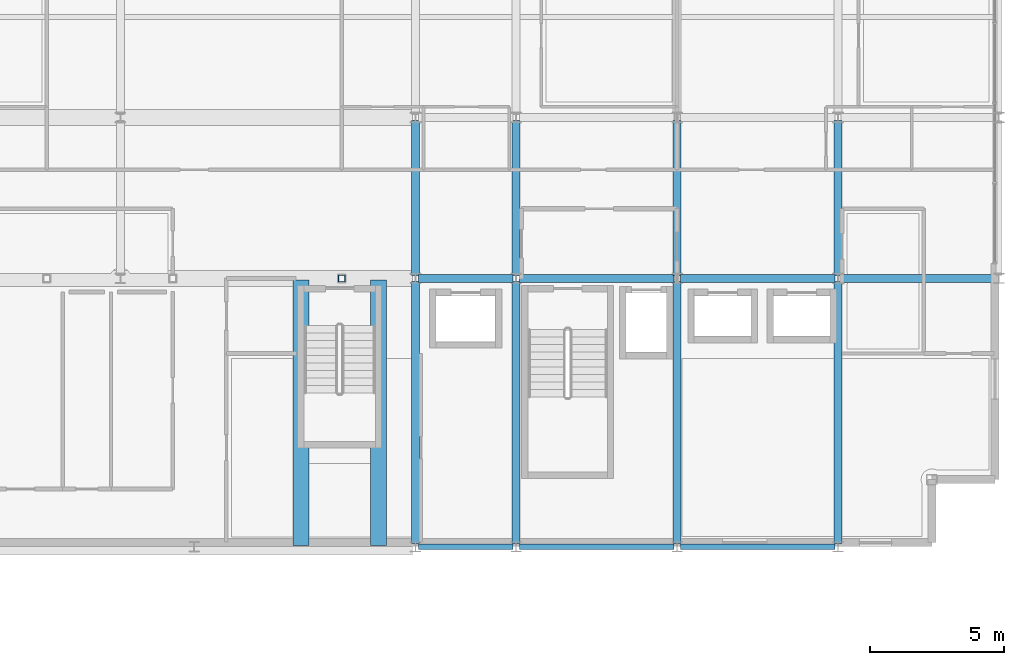
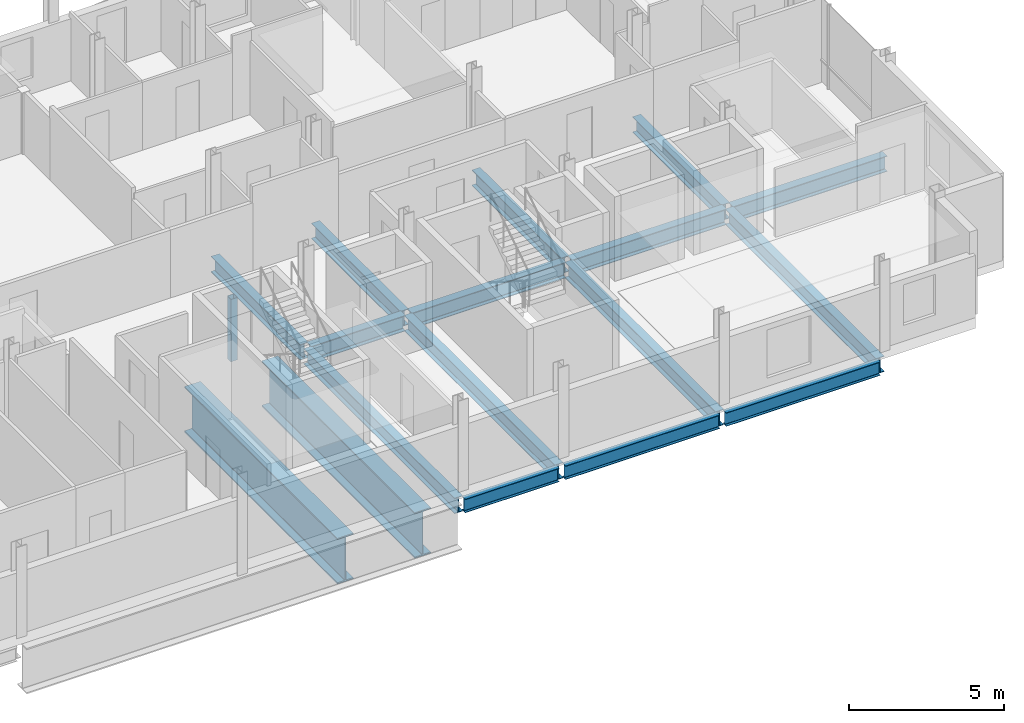
# One storey, part 13 of 35: 17 beams, 1 member.
"""IFC4 building model written with IfcOpenShell, lengths in metres."""

from ifc_helpers import new_model, si_unit, direction, frame, origin, origin_2d, place, context, subcontext, project, spatial, hollow_rectangle, i_section, extrude, material, material_profile, profile_set, type_object, element, save


model = new_model("IFC4")

# Units and contexts
model_context = context("Model", 3, precision=1e-05, world=origin(), true_north=direction((0.0, 1.0)))
body_context = subcontext(model_context, "Body", "Model", "MODEL_VIEW")
ifc_project = project(units=[si_unit("LENGTHUNIT", "METRE"), si_unit("AREAUNIT", "SQUARE_METRE"), si_unit("VOLUMEUNIT", "CUBIC_METRE"), si_unit("PLANEANGLEUNIT", "RADIAN"), si_unit("MASSUNIT", "GRAM", prefix="KILO")], contexts=[model_context])

# Site, building, storey
site_placement = place(None, origin())
site = spatial("IfcSite", under=ifc_project, at=site_placement, CompositionType="ELEMENT")
building_placement = place(site_placement, origin())
building = spatial("IfcBuilding", under=site, at=building_placement, Name="Brevholm Reach", CompositionType="ELEMENT")
storey_placement = place(building_placement, frame((0.0, 0.0, 214.39990234375)))
storey = spatial("IfcBuildingStorey", under=building, at=storey_placement, Name="L65", CompositionType="ELEMENT", Elevation=214.39990234375)

# Beams
ifc_material_1 = material(Name="Structural Steel S460ML", Category="steel")
ifc_material_profile_1 = material_profile(ifc_material_1, i_section(OverallWidth=0.60009765625, OverallDepth=1.800048828125, WebThickness=0.034912109375, FlangeThickness=0.050048828125, FilletRadius=0.02392578125, at=origin_2d()), Name="PG 1800x600x50")
ifc_profile_set_1 = profile_set([ifc_material_profile_1], Name="Structural Steel S460ML")
beam_type_1 = type_object("IfcBeamType", Name="BM-PG1800", PredefinedType="USERDEFINED", material=ifc_profile_set_1)
for number, where, z_axis, x_axis, name in (
    (1, (33.97998046875, 0.050048828125, -1.31982421875), (0.0, 1.0, 0.0), (-1.0, 0.0, 0.0), "L65 ST-3 Transfer Cross-Girder W"),
    (2, (36.8701171875, 0.050048828125, -1.31982421875), (0.0, 1.0, 0.0), (-1.0, 0.0, 0.0), "L65 ST-3 Transfer Cross-Girder E"),
):
    element("IfcBeam", number, at=place(storey_placement, frame(where, z_axis=z_axis, x_axis=x_axis)), inside=storey, type_object=beam_type_1, Name=name, ObjectType="GIRDER", PredefinedType="USERDEFINED", context=body_context, shape_type="SweptSolid", body=[
        extrude(i_section(OverallWidth=0.60009765625, OverallDepth=1.800048828125, WebThickness=0.034912109375, FlangeThickness=0.050048828125, FilletRadius=0.02392578125, at=origin_2d()), origin(), (0.0, 0.0, 1.0), 9.89990234375),
    ])
ifc_material_2 = material(Name="Structural Steel S355J2", Category="steel")
ifc_material_profile_2 = material_profile(ifc_material_2, i_section(OverallWidth=0.210693359375, OverallDepth=0.53955078125, WebThickness=0.01171875, FlangeThickness=0.018798828125, FilletRadius=0.0126953125, at=origin_2d()), Name="UKB 533x210x109")
ifc_profile_set_2 = profile_set([ifc_material_profile_2], Name="Structural Steel S355J2")
beam_type_2 = type_object("IfcBeamType", Name="BM-SP539", PredefinedType="SPANDREL", material=ifc_profile_set_2)
beam_1_placement = place(storey_placement, frame((38.3701171875, 0.0, -0.689697265625), z_axis=(1.0, 0.0, 0.0), x_axis=(0.0, 1.0, 0.0)))
element("IfcBeam", 3, at=beam_1_placement, inside=storey, type_object=beam_type_2, Name="L65 SP-01B Framing Beam", PredefinedType="SPANDREL", context=body_context, shape_type="SweptSolid", body=[
    extrude(i_section(OverallWidth=0.210693359375, OverallDepth=0.53955078125, WebThickness=0.01171875, FlangeThickness=0.018798828125, FilletRadius=0.0126953125, at=origin_2d()), origin(), (0.0, 0.0, 1.0), 3.509765625),
])
for number, where, z_axis, x_axis, name in (
    (4, (42.1201171875, 0.0, -0.689697265625), (1.0, 0.0, 0.0), (0.0, 1.0, 0.0), "L65 SP-01B Framing Beam"),
    (5, (48.1201171875, 0.0, -0.689697265625), (1.0, 0.0, 0.0), (0.0, 1.0, 0.0), "L65 SP-01B Framing Beam"),
):
    element("IfcBeam", number, at=place(storey_placement, frame(where, z_axis=z_axis, x_axis=x_axis)), inside=storey, type_object=beam_type_2, Name=name, PredefinedType="SPANDREL", context=body_context, shape_type="SweptSolid", body=[
        extrude(i_section(OverallWidth=0.210693359375, OverallDepth=0.53955078125, WebThickness=0.01171875, FlangeThickness=0.018798828125, FilletRadius=0.0126953125, at=origin_2d()), origin(), (0.0, 0.0, 1.0), 5.759765625),
    ])
ifc_material_3 = material(Name="Structural Steel S355J2", Category="steel")
ifc_material_profile_3 = material_profile(ifc_material_3, i_section(OverallWidth=0.30712890625, OverallDepth=0.6201171875, WebThickness=0.01416015625, FlangeThickness=0.023681640625, FilletRadius=0.0166015625, at=origin_2d()), Name="UKB 610x305x179")
ifc_profile_set_3 = profile_set([ifc_material_profile_3], Name="Structural Steel S355J2")
beam_type_3 = type_object("IfcBeamType", Name="BM-UKB610H", PredefinedType="USERDEFINED", material=ifc_profile_set_3)
beam_2_placement = place(storey_placement, frame((38.3701171875, 10.0, -0.72998046875), z_axis=(1.0, 0.0, 0.0), x_axis=(0.0, 1.0, 0.0)))
element("IfcBeam", 6, at=beam_2_placement, inside=storey, type_object=beam_type_3, Name="L65 G-06 Framing Beam", ObjectType="GIRDER", PredefinedType="USERDEFINED", context=body_context, shape_type="SweptSolid", body=[
    extrude(i_section(OverallWidth=0.30712890625, OverallDepth=0.6201171875, WebThickness=0.01416015625, FlangeThickness=0.023681640625, FilletRadius=0.0166015625, at=origin_2d()), origin(), (0.0, 0.0, 1.0), 3.509765625),
])
for number, where, z_axis, x_axis, name in (
    (7, (42.1201171875, 10.0, -0.72998046875), (1.0, 0.0, 0.0), (0.0, 1.0, 0.0), "L65 G-06 Framing Beam"),
    (8, (48.1201171875, 10.0, -0.72998046875), (1.0, 0.0, 0.0), (0.0, 1.0, 0.0), "L65 G-06 Framing Beam"),
    (9, (54.1201171875, 10.0, -0.72998046875), (1.0, 0.0, 0.0), (0.0, 1.0, 0.0), "L65 G-06 Framing Beam"),
):
    element("IfcBeam", number, at=place(storey_placement, frame(where, z_axis=z_axis, x_axis=x_axis)), inside=storey, type_object=beam_type_3, Name=name, ObjectType="GIRDER", PredefinedType="USERDEFINED", context=body_context, shape_type="SweptSolid", body=[
        extrude(i_section(OverallWidth=0.30712890625, OverallDepth=0.6201171875, WebThickness=0.01416015625, FlangeThickness=0.023681640625, FilletRadius=0.0166015625, at=origin_2d()), origin(), (0.0, 0.0, 1.0), 5.759765625),
    ])
beam_3_placement = place(storey_placement, frame((38.25, 0.1201171875, -0.72998046875), z_axis=(0.0, 1.0, 0.0), x_axis=(-1.0, 0.0, 0.0)))
element("IfcBeam", 10, at=beam_3_placement, inside=storey, type_object=beam_type_3, Name="L65 G-06 Framing Beam", ObjectType="GIRDER", PredefinedType="USERDEFINED", context=body_context, shape_type="SweptSolid", body=[
    extrude(i_section(OverallWidth=0.30712890625, OverallDepth=0.6201171875, WebThickness=0.01416015625, FlangeThickness=0.023681640625, FilletRadius=0.0166015625, at=origin_2d()), origin(), (0.0, 0.0, 1.0), 9.759765625),
])
beam_4_placement = place(storey_placement, frame((38.25, 10.1201171875, -0.72998046875), z_axis=(0.0, 1.0, 0.0), x_axis=(-1.0, 0.0, 0.0)))
element("IfcBeam", 11, at=beam_4_placement, inside=storey, type_object=beam_type_3, Name="L65 G-06 Framing Beam", ObjectType="GIRDER", PredefinedType="USERDEFINED", context=body_context, shape_type="SweptSolid", body=[
    extrude(i_section(OverallWidth=0.30712890625, OverallDepth=0.6201171875, WebThickness=0.01416015625, FlangeThickness=0.023681640625, FilletRadius=0.0166015625, at=origin_2d()), origin(), (0.0, 0.0, 1.0), 5.759765625),
])
beam_5_placement = place(storey_placement, frame((42.0, 0.1201171875, -0.72998046875), z_axis=(0.0, 1.0, 0.0), x_axis=(-1.0, 0.0, 0.0)))
element("IfcBeam", 12, at=beam_5_placement, inside=storey, type_object=beam_type_3, Name="L65 G-06 Framing Beam", ObjectType="GIRDER", PredefinedType="USERDEFINED", context=body_context, shape_type="SweptSolid", body=[
    extrude(i_section(OverallWidth=0.30712890625, OverallDepth=0.6201171875, WebThickness=0.01416015625, FlangeThickness=0.023681640625, FilletRadius=0.0166015625, at=origin_2d()), origin(), (0.0, 0.0, 1.0), 9.759765625),
])
beam_6_placement = place(storey_placement, frame((42.0, 10.1201171875, -0.72998046875), z_axis=(0.0, 1.0, 0.0), x_axis=(-1.0, 0.0, 0.0)))
element("IfcBeam", 13, at=beam_6_placement, inside=storey, type_object=beam_type_3, Name="L65 G-06 Framing Beam", ObjectType="GIRDER", PredefinedType="USERDEFINED", context=body_context, shape_type="SweptSolid", body=[
    extrude(i_section(OverallWidth=0.30712890625, OverallDepth=0.6201171875, WebThickness=0.01416015625, FlangeThickness=0.023681640625, FilletRadius=0.0166015625, at=origin_2d()), origin(), (0.0, 0.0, 1.0), 5.759765625),
])
beam_7_placement = place(storey_placement, frame((48.0, 0.1201171875, -0.72998046875), z_axis=(0.0, 1.0, 0.0), x_axis=(-1.0, 0.0, 0.0)))
element("IfcBeam", 14, at=beam_7_placement, inside=storey, type_object=beam_type_3, Name="L65 G-06 Framing Beam", ObjectType="GIRDER", PredefinedType="USERDEFINED", context=body_context, shape_type="SweptSolid", body=[
    extrude(i_section(OverallWidth=0.30712890625, OverallDepth=0.6201171875, WebThickness=0.01416015625, FlangeThickness=0.023681640625, FilletRadius=0.0166015625, at=origin_2d()), origin(), (0.0, 0.0, 1.0), 9.759765625),
])
beam_8_placement = place(storey_placement, frame((48.0, 10.1201171875, -0.72998046875), z_axis=(0.0, 1.0, 0.0), x_axis=(-1.0, 0.0, 0.0)))
element("IfcBeam", 15, at=beam_8_placement, inside=storey, type_object=beam_type_3, Name="L65 G-06 Framing Beam", ObjectType="GIRDER", PredefinedType="USERDEFINED", context=body_context, shape_type="SweptSolid", body=[
    extrude(i_section(OverallWidth=0.30712890625, OverallDepth=0.6201171875, WebThickness=0.01416015625, FlangeThickness=0.023681640625, FilletRadius=0.0166015625, at=origin_2d()), origin(), (0.0, 0.0, 1.0), 5.759765625),
])
beam_9_placement = place(storey_placement, frame((54.0, 0.1201171875, -0.72998046875), z_axis=(0.0, 1.0, 0.0), x_axis=(-1.0, 0.0, 0.0)))
element("IfcBeam", 16, at=beam_9_placement, inside=storey, type_object=beam_type_3, Name="L65 G-06 Framing Beam", ObjectType="GIRDER", PredefinedType="USERDEFINED", context=body_context, shape_type="SweptSolid", body=[
    extrude(i_section(OverallWidth=0.30712890625, OverallDepth=0.6201171875, WebThickness=0.01416015625, FlangeThickness=0.023681640625, FilletRadius=0.0166015625, at=origin_2d()), origin(), (0.0, 0.0, 1.0), 9.759765625),
])
beam_10_placement = place(storey_placement, frame((54.0, 10.1201171875, -0.72998046875), z_axis=(0.0, 1.0, 0.0), x_axis=(-1.0, 0.0, 0.0)))
element("IfcBeam", 17, at=beam_10_placement, inside=storey, type_object=beam_type_3, Name="L65 G-06 Framing Beam", ObjectType="GIRDER", PredefinedType="USERDEFINED", context=body_context, shape_type="SweptSolid", body=[
    extrude(i_section(OverallWidth=0.30712890625, OverallDepth=0.6201171875, WebThickness=0.01416015625, FlangeThickness=0.023681640625, FilletRadius=0.0166015625, at=origin_2d()), origin(), (0.0, 0.0, 1.0), 5.759765625),
])

# Member
ifc_material_4 = material(Name="Structural Steel S355J2H", Category="steel")
ifc_material_profile_4 = material_profile(ifc_material_4, hollow_rectangle(XDim=0.25, YDim=0.25, WallThickness=0.010009765625, InnerFilletRadius=0.010009765625, OuterFilletRadius=0.02001953125, at=origin_2d()), Name="SHS 250x250x10")
ifc_profile_set_4 = profile_set([ifc_material_profile_4], Name="Structural Steel S355J2H")
member_type = type_object("IfcMemberType", Name="MEM-ST-SHS250", PredefinedType="STRUT", material=ifc_profile_set_4)
member_placement = place(storey_placement, frame((35.5, 10.0, 0.0), z_axis=(0.0, 0.0, 1.0), x_axis=(1.0, 0.0, 0.0)))
element("IfcMember", 18, at=member_placement, inside=storey, type_object=member_type, Name="L65 Portal Vierendeel Post 3", PredefinedType="STRUT", context=body_context, shape_type="SweptSolid", body=[
    extrude(hollow_rectangle(XDim=0.25, YDim=0.25, WallThickness=0.010009765625, InnerFilletRadius=0.010009765625, OuterFilletRadius=0.02001953125, at=origin_2d()), origin(), (0.0, 0.0, 1.0), 2.464111328125),
])

save(model, "model.ifc")
